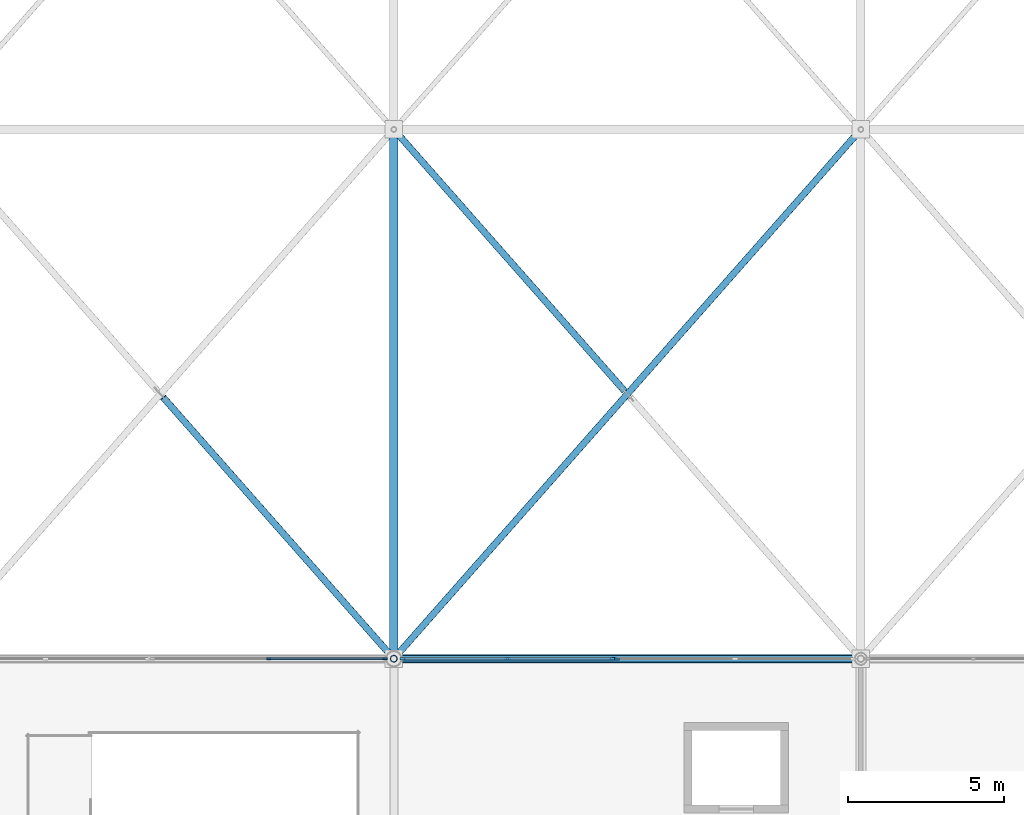
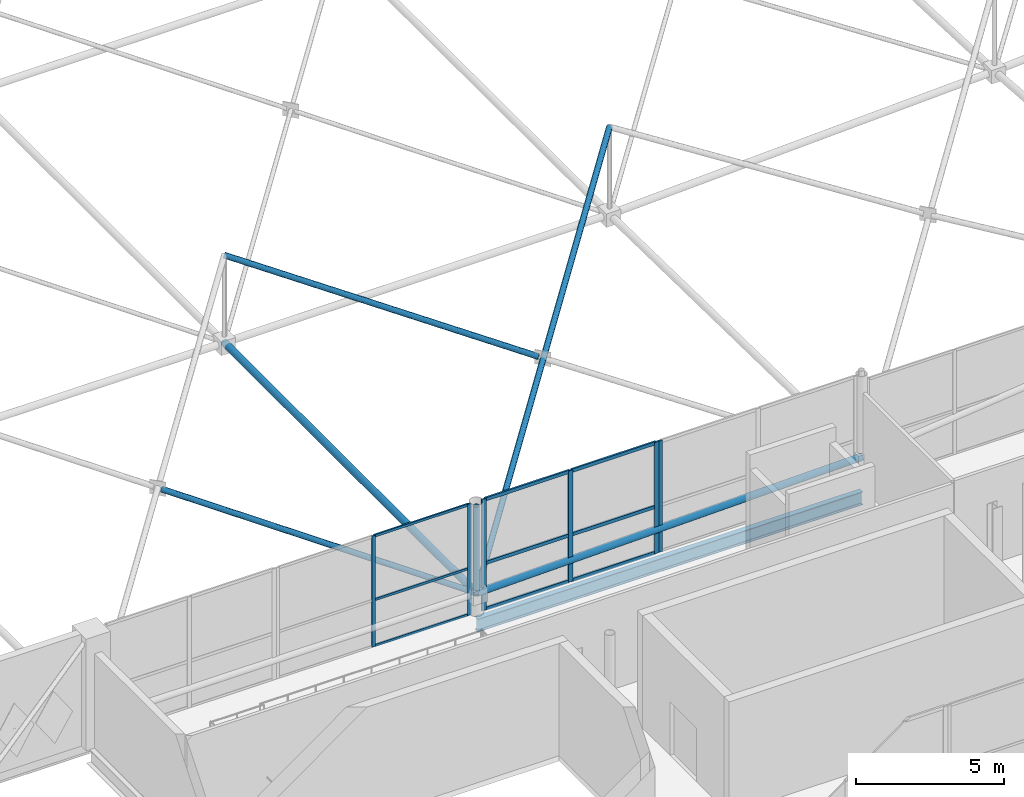
# One storey, part 47 of 224: 21 members, 1 beam, 3 elements without a shape of their own.
"""IFC4 building model written with IfcOpenShell, lengths in metres."""

from ifc_helpers import new_model, si_unit, direction, frame, origin, origin_2d, place, context, subcontext, project, spatial, rectangle, hollow_circle, i_section, extrude, material, layer, layer_set, material_profile, profile_set, type_object, element, aggregate, save


model = new_model("IFC4")

# Units and contexts
model_context = context("Model", 3, precision=1e-05, world=origin(), true_north=direction((0.0, 1.0)))
body_context = subcontext(model_context, "Body", "Model", "MODEL_VIEW")
ifc_project = project(units=[si_unit("LENGTHUNIT", "METRE"), si_unit("AREAUNIT", "SQUARE_METRE"), si_unit("VOLUMEUNIT", "CUBIC_METRE"), si_unit("PLANEANGLEUNIT", "RADIAN"), si_unit("MASSUNIT", "GRAM", prefix="KILO")], contexts=[model_context])

# Site, building, storey
site_placement = place(None, origin())
site = spatial("IfcSite", under=ifc_project, at=site_placement, CompositionType="ELEMENT")
building_placement = place(site_placement, origin())
building = spatial("IfcBuilding", under=site, at=building_placement, Name="Qamarlyn Nura Convention Centre", CompositionType="ELEMENT")
storey_placement = place(building_placement, frame((0.0, 0.0, 10.800048828125)))
storey = spatial("IfcBuildingStorey", under=building, at=storey_placement, Name="L02", CompositionType="ELEMENT", Elevation=10.800048828125)

# Beam
ifc_material_1 = material(Name="Steel ASTM A992", Category="steel")
ifc_material_profile_1 = material_profile(ifc_material_1, i_section(OverallWidth=0.2109375, OverallDepth=0.5390625, WebThickness=0.01171875, FlangeThickness=0.018798828125, FilletRadius=0.013916015625, at=origin_2d()), Name="W530X109")
ifc_profile_set_1 = profile_set([ifc_material_profile_1], Name="Steel ASTM A992")
beam_type = type_object("IfcBeamType", Name="BM-SPAN-530", PredefinedType="SPANDREL", material=ifc_profile_set_1)
beam_placement = place(storey_placement, frame((75.0, 18.0, -0.489501953125), z_axis=(1.0, 0.0, 0.0), x_axis=(0.0, 1.0, 0.0)))
element("IfcBeam", 1, at=beam_placement, inside=storey, type_object=beam_type, Name="L02 girder C 6-7", PredefinedType="SPANDREL", context=body_context, shape_type="SweptSolid", body=[
    extrude(i_section(OverallWidth=0.2109375, OverallDepth=0.5390625, WebThickness=0.01171875, FlangeThickness=0.018798828125, FilletRadius=0.013916015625, at=origin_2d()), origin(), (0.0, 0.0, 1.0), 15.0),
])

# Curtain wall, members
ifc_material_2 = material(Name="Double-silver low-E insulated glass", Category="glass")
ifc_layer_1 = layer(ifc_material_2, 0.179931640625, Name="CW-UNIT-18")
ifc_layer_set_1 = layer_set([ifc_layer_1], Name="Double-silver low-E insulated glass")
curtain_wall_type_1 = type_object("IfcCurtainWallType", Name="CW-UNIT-18", PredefinedType="NOTDEFINED", material=ifc_layer_set_1)
curtain_wall_1_placement = place(storey_placement, origin())
curtain_wall_1 = element("IfcCurtainWall", 2, at=curtain_wall_1_placement, inside=storey, type_object=curtain_wall_type_1, Name="L02 unitised curtain wall V1-INT-S1-1B", PredefinedType="NOTDEFINED")
ifc_material_3 = material(Name="Champagne-anodised marine aluminium", Category="aluminium")
ifc_material_profile_2 = material_profile(ifc_material_3, rectangle(XDim=0.06005859375, YDim=0.139892578125, at=origin_2d()), Name="ALU MULLION 60x140")
ifc_profile_set_2 = profile_set([ifc_material_profile_2], Name="Champagne-anodised marine aluminium")
member_type_1 = type_object("IfcMemberType", Name="CWM-140", PredefinedType="MULLION", material=ifc_profile_set_2)
member_1_placement = place(storey_placement, frame((70.984130859375, 18.0, 0.0), z_axis=(0.0, 0.0, 1.0), x_axis=(0.0, 1.0, 0.0)))
member_1 = element("IfcMember", 3, at=member_1_placement, type_object=member_type_1, Name="CW18 mullion 2", PredefinedType="MULLION", context=body_context, shape_type="SweptSolid", body=[
    extrude(rectangle(XDim=0.06005859375, YDim=0.139892578125, at=origin_2d()), origin(), (0.0, 0.0, 1.0), 4.579833984375),
])
member_2_placement = place(storey_placement, frame((74.716064453125, 18.0, 0.0), z_axis=(0.0, 0.0, 1.0), x_axis=(0.0, 1.0, 0.0)))
member_2 = element("IfcMember", 4, at=member_2_placement, type_object=member_type_1, Name="CW18 mullion 3", PredefinedType="MULLION", context=body_context, shape_type="SweptSolid", body=[
    extrude(rectangle(XDim=0.06005859375, YDim=0.139892578125, at=origin_2d()), origin(), (0.0, 0.0, 1.0), 4.579833984375),
])

# Curtain wall, member
ifc_layer_2 = layer(ifc_material_2, 0.179931640625, Name="CW-UNIT-20")
ifc_layer_set_2 = layer_set([ifc_layer_2], Name="Double-silver low-E insulated glass")
curtain_wall_type_2 = type_object("IfcCurtainWallType", Name="CW-UNIT-20", PredefinedType="NOTDEFINED", material=ifc_layer_set_2)
curtain_wall_2_placement = place(storey_placement, origin())
curtain_wall_2 = element("IfcCurtainWall", 5, at=curtain_wall_2_placement, inside=storey, type_object=curtain_wall_type_2, Name="L02 unitised curtain wall V1-INT-S2-1B", PredefinedType="NOTDEFINED")
ifc_material_profile_3 = material_profile(ifc_material_3, rectangle(XDim=0.06494140625, YDim=0.159912109375, at=origin_2d()), Name="ALU MULLION 65x160")
ifc_profile_set_3 = profile_set([ifc_material_profile_3], Name="Champagne-anodised marine aluminium")
member_type_2 = type_object("IfcMemberType", Name="CWM-160", PredefinedType="MULLION", material=ifc_profile_set_3)
member_3_placement = place(storey_placement, frame((82.16162109375, 18.0, 0.0), z_axis=(0.0, 0.0, 1.0), x_axis=(0.0, 1.0, 0.0)))
member_3 = element("IfcMember", 6, at=member_3_placement, type_object=member_type_2, Name="CW20 mullion 1", PredefinedType="MULLION", context=body_context, shape_type="SweptSolid", body=[
    extrude(rectangle(XDim=0.06494140625, YDim=0.159912109375, at=origin_2d()), origin(), (0.0, 0.0, 1.0), 4.579833984375),
])
aggregate(curtain_wall_2, [member_3])

# Curtain wall, members
ifc_layer_3 = layer(ifc_material_2, 0.179931640625, Name="CW-UNIT-19")
ifc_layer_set_3 = layer_set([ifc_layer_3], Name="Double-silver low-E insulated glass")
curtain_wall_type_3 = type_object("IfcCurtainWallType", Name="CW-UNIT-19", PredefinedType="NOTDEFINED", material=ifc_layer_set_3)
curtain_wall_3_placement = place(storey_placement, origin())
curtain_wall_3 = element("IfcCurtainWall", 7, at=curtain_wall_3_placement, inside=storey, type_object=curtain_wall_type_3, Name="L02 unitised curtain wall V1-INT-S2-1A", PredefinedType="NOTDEFINED")
ifc_material_profile_4 = material_profile(ifc_material_3, rectangle(XDim=0.070068359375, YDim=0.179931640625, at=origin_2d()), Name="ALU MULLION 70x180")
ifc_profile_set_4 = profile_set([ifc_material_profile_4], Name="Champagne-anodised marine aluminium")
member_type_3 = type_object("IfcMemberType", Name="CWM-180", PredefinedType="MULLION", material=ifc_profile_set_4)
member_4_placement = place(storey_placement, frame((75.2890625, 18.0, 0.0), z_axis=(0.0, 0.0, 1.0), x_axis=(0.0, 1.0, 0.0)))
member_4 = element("IfcMember", 8, at=member_4_placement, type_object=member_type_3, Name="CW19 mullion 1", PredefinedType="MULLION", context=body_context, shape_type="SweptSolid", body=[
    extrude(rectangle(XDim=0.070068359375, YDim=0.179931640625, at=origin_2d()), origin(), (0.0, 0.0, 1.0), 4.579833984375),
])
member_5_placement = place(storey_placement, frame((78.651611328125, 18.0, 0.0), z_axis=(0.0, 0.0, 1.0), x_axis=(0.0, 1.0, 0.0)))
member_5 = element("IfcMember", 9, at=member_5_placement, type_object=member_type_3, Name="CW19 mullion 2", PredefinedType="MULLION", context=body_context, shape_type="SweptSolid", body=[
    extrude(rectangle(XDim=0.070068359375, YDim=0.179931640625, at=origin_2d()), origin(), (0.0, 0.0, 1.0), 4.579833984375),
])
member_6_placement = place(storey_placement, frame((82.01416015625, 18.0, 0.0), z_axis=(0.0, 0.0, 1.0), x_axis=(0.0, 1.0, 0.0)))
member_6 = element("IfcMember", 10, at=member_6_placement, type_object=member_type_3, Name="CW19 mullion 3", PredefinedType="MULLION", context=body_context, shape_type="SweptSolid", body=[
    extrude(rectangle(XDim=0.070068359375, YDim=0.179931640625, at=origin_2d()), origin(), (0.0, 0.0, 1.0), 4.579833984375),
])

# Member
ifc_material_profile_5 = material_profile(ifc_material_3, rectangle(XDim=0.06005859375, YDim=0.10009765625, at=origin_2d()), Name="ALU TRANSOM 60x100")
ifc_profile_set_5 = profile_set([ifc_material_profile_5], Name="Champagne-anodised marine aluminium")
member_type_4 = type_object("IfcMemberType", Name="CWT-100", PredefinedType="USERDEFINED", material=ifc_profile_set_5)
member_7_placement = place(storey_placement, frame((71.01416015625, 18.0, 0.030029296875), z_axis=(1.0, 0.0, 0.0), x_axis=(0.0, 1.0, 0.0)))
member_7 = element("IfcMember", 11, at=member_7_placement, type_object=member_type_4, Name="CW18 transom 2.1", ObjectType="TRANSOM", PredefinedType="USERDEFINED", context=body_context, shape_type="SweptSolid", body=[
    extrude(rectangle(XDim=0.06005859375, YDim=0.10009765625, at=origin_2d()), origin(), (0.0, 0.0, 1.0), 3.671875),
])

member_8_placement = place(storey_placement, frame((71.01416015625, 18.0, 1.924072265625), z_axis=(1.0, 0.0, 0.0), x_axis=(0.0, 1.0, 0.0)))
member_8 = element("IfcMember", 12, at=member_8_placement, type_object=member_type_4, Name="CW18 transom 2.2", ObjectType="TRANSOM", PredefinedType="USERDEFINED", context=body_context, shape_type="SweptSolid", body=[
    extrude(rectangle(XDim=0.06005859375, YDim=0.10009765625, at=origin_2d()), origin(), (0.0, 0.0, 1.0), 3.671875),
])

member_9_placement = place(storey_placement, frame((71.01416015625, 18.0, 4.550048828125), z_axis=(1.0, 0.0, 0.0), x_axis=(0.0, 1.0, 0.0)))
member_9 = element("IfcMember", 13, at=member_9_placement, type_object=member_type_4, Name="CW18 transom 2.3", ObjectType="TRANSOM", PredefinedType="USERDEFINED", context=body_context, shape_type="SweptSolid", body=[
    extrude(rectangle(XDim=0.06005859375, YDim=0.10009765625, at=origin_2d()), origin(), (0.0, 0.0, 1.0), 3.671875),
])

aggregate(curtain_wall_1, [member_1, member_2, member_7, member_8, member_9])

ifc_material_profile_6 = material_profile(ifc_material_3, rectangle(XDim=0.070068359375, YDim=0.139892578125, at=origin_2d()), Name="ALU TRANSOM 70x140")
ifc_profile_set_6 = profile_set([ifc_material_profile_6], Name="Champagne-anodised marine aluminium")
member_type_5 = type_object("IfcMemberType", Name="CWT-140", PredefinedType="USERDEFINED", material=ifc_profile_set_6)
member_10_placement = place(storey_placement, frame((75.323974609375, 18.0, 0.034912109375), z_axis=(1.0, 0.0, 0.0), x_axis=(0.0, 1.0, 0.0)))
member_10 = element("IfcMember", 14, at=member_10_placement, type_object=member_type_5, Name="CW19 transom 1.1", ObjectType="TRANSOM", PredefinedType="USERDEFINED", context=body_context, shape_type="SweptSolid", body=[
    extrude(rectangle(XDim=0.070068359375, YDim=0.139892578125, at=origin_2d()), origin(), (0.0, 0.0, 1.0), 3.29248046875),
])

member_11_placement = place(storey_placement, frame((75.323974609375, 18.0, 1.924072265625), z_axis=(1.0, 0.0, 0.0), x_axis=(0.0, 1.0, 0.0)))
member_11 = element("IfcMember", 15, at=member_11_placement, type_object=member_type_5, Name="CW19 transom 1.2", ObjectType="TRANSOM", PredefinedType="USERDEFINED", context=body_context, shape_type="SweptSolid", body=[
    extrude(rectangle(XDim=0.070068359375, YDim=0.139892578125, at=origin_2d()), origin(), (0.0, 0.0, 1.0), 3.29248046875),
])

member_12_placement = place(storey_placement, frame((75.323974609375, 18.0, 4.544921875), z_axis=(1.0, 0.0, 0.0), x_axis=(0.0, 1.0, 0.0)))
member_12 = element("IfcMember", 16, at=member_12_placement, type_object=member_type_5, Name="CW19 transom 1.3", ObjectType="TRANSOM", PredefinedType="USERDEFINED", context=body_context, shape_type="SweptSolid", body=[
    extrude(rectangle(XDim=0.070068359375, YDim=0.139892578125, at=origin_2d()), origin(), (0.0, 0.0, 1.0), 3.29248046875),
])

member_13_placement = place(storey_placement, frame((78.6865234375, 18.0, 0.034912109375), z_axis=(1.0, 0.0, 0.0), x_axis=(0.0, 1.0, 0.0)))
member_13 = element("IfcMember", 17, at=member_13_placement, type_object=member_type_5, Name="CW19 transom 2.1", ObjectType="TRANSOM", PredefinedType="USERDEFINED", context=body_context, shape_type="SweptSolid", body=[
    extrude(rectangle(XDim=0.070068359375, YDim=0.139892578125, at=origin_2d()), origin(), (0.0, 0.0, 1.0), 3.29248046875),
])

member_14_placement = place(storey_placement, frame((78.6865234375, 18.0, 1.924072265625), z_axis=(1.0, 0.0, 0.0), x_axis=(0.0, 1.0, 0.0)))
member_14 = element("IfcMember", 18, at=member_14_placement, type_object=member_type_5, Name="CW19 transom 2.2", ObjectType="TRANSOM", PredefinedType="USERDEFINED", context=body_context, shape_type="SweptSolid", body=[
    extrude(rectangle(XDim=0.070068359375, YDim=0.139892578125, at=origin_2d()), origin(), (0.0, 0.0, 1.0), 3.29248046875),
])

member_15_placement = place(storey_placement, frame((78.6865234375, 18.0, 4.544921875), z_axis=(1.0, 0.0, 0.0), x_axis=(0.0, 1.0, 0.0)))
member_15 = element("IfcMember", 19, at=member_15_placement, type_object=member_type_5, Name="CW19 transom 2.3", ObjectType="TRANSOM", PredefinedType="USERDEFINED", context=body_context, shape_type="SweptSolid", body=[
    extrude(rectangle(XDim=0.070068359375, YDim=0.139892578125, at=origin_2d()), origin(), (0.0, 0.0, 1.0), 3.29248046875),
])

aggregate(curtain_wall_3, [member_4, member_5, member_6, member_10, member_11, member_12, member_13, member_14, member_15])

# Members
ifc_material_4 = material(Name="Pearl-white PVDF steel ASTM A500 Grade C", Category="steel")
ifc_material_profile_7 = material_profile(ifc_material_4, hollow_circle(Radius=0.136474609375, WallThickness=0.012451171875, at=origin_2d()), Name="CHS273X12.5")
ifc_profile_set_7 = profile_set([ifc_material_profile_7], Name="Pearl-white PVDF steel ASTM A500 Grade C")
member_type_6 = type_object("IfcMemberType", Name="SF-BC-MAIN", PredefinedType="CHORD", material=ifc_profile_set_7)
member_16_placement = place(storey_placement, frame((75.0, 18.0, 0.800048828125), z_axis=(0.999726977409, 0.0, 0.023366014641), x_axis=(0.0, 1.0, 0.0)))
element("IfcMember", 20, at=member_16_placement, inside=storey, type_object=member_type_6, Name="ROOF TRUSS space frame bottom chord X7-2", PredefinedType="CHORD", context=body_context, shape_type="SweptSolid", body=[
    extrude(hollow_circle(Radius=0.136474609375, WallThickness=0.012451171875, at=origin_2d()), origin(), (0.0, 0.0, 1.0), 15.004150390625),
])
member_17_placement = place(storey_placement, frame((75.0, 18.0, 0.800048828125), z_axis=(0.0, 1.0, 0.0), x_axis=(-1.0, 0.0, 0.0)))
element("IfcMember", 21, at=member_17_placement, inside=storey, type_object=member_type_6, Name="ROOF TRUSS space frame bottom chord Y7-2", PredefinedType="CHORD", context=body_context, shape_type="SweptSolid", body=[
    extrude(hollow_circle(Radius=0.136474609375, WallThickness=0.012451171875, at=origin_2d()), origin(), (0.0, 0.0, 1.0), 17.0),
])
ifc_material_profile_8 = material_profile(ifc_material_4, hollow_circle(Radius=0.109619140625, WallThickness=0.010009765625, at=origin_2d()), Name="CHS219.1X10")
ifc_profile_set_8 = profile_set([ifc_material_profile_8], Name="Pearl-white PVDF steel ASTM A500 Grade C")
member_type_7 = type_object("IfcMemberType", Name="SF-WEB-HVY", PredefinedType="BRACE", material=ifc_profile_set_8)
member_18_placement = place(storey_placement, frame((75.0, 18.0, 0.800048828125), z_axis=(-0.653436826791, 0.740561737029, 0.156807611557), x_axis=(-0.749837855365, -0.661621637087, 0.0)))
element("IfcMember", 22, at=member_18_placement, inside=storey, type_object=member_type_7, Name="ROOF TRUSS space frame split diagonal B1 6-2", PredefinedType="BRACE", context=body_context, shape_type="SweptSolid", body=[
    extrude(hollow_circle(Radius=0.109619140625, WallThickness=0.010009765625, at=origin_2d()), origin(), (0.0, 0.0, 1.0), 11.337646484375),
])
member_19_placement = place(storey_placement, frame((75.0, 18.0, 0.800048828125), z_axis=(0.0, 0.0, 1.0), x_axis=(1.0, 0.0, 0.0)))
element("IfcMember", 23, at=member_19_placement, inside=storey, type_object=member_type_7, Name="ROOF TRUSS space frame vertical 7-2", PredefinedType="BRACE", context=body_context, shape_type="SweptSolid", body=[
    extrude(hollow_circle(Radius=0.109619140625, WallThickness=0.010009765625, at=origin_2d()), origin(), (0.0, 0.0, 1.0), 3.599853515625),
])
member_20_placement = place(storey_placement, frame((75.0, 18.0, 0.800048828125), z_axis=(0.653305543608, 0.740412949423, 0.158052304691), x_axis=(-0.749837855365, 0.661621637087, 0.0)))
element("IfcMember", 24, at=member_20_placement, inside=storey, type_object=member_type_7, Name="ROOF TRUSS space frame diagonal A 7-2", PredefinedType="BRACE", context=body_context, shape_type="SweptSolid", body=[
    extrude(hollow_circle(Radius=0.109619140625, WallThickness=0.010009765625, at=origin_2d()), origin(), (0.0, 0.0, 1.0), 22.960205078125),
])
member_21_placement = place(storey_placement, frame((82.408203125, 26.60400390625, 2.71484375), z_axis=(-0.654253049908, 0.741489664722, 0.148815401742), x_axis=(-0.74983912797, -0.661620194799, 0.0)))
element("IfcMember", 25, at=member_21_placement, inside=storey, type_object=member_type_7, Name="ROOF TRUSS space frame split diagonal B2 7-2", PredefinedType="BRACE", context=body_context, shape_type="SweptSolid", body=[
    extrude(hollow_circle(Radius=0.109619140625, WallThickness=0.010009765625, at=origin_2d()), origin(), (0.0, 0.0, 1.0), 11.3232421875),
])

save(model, "model.ifc")
